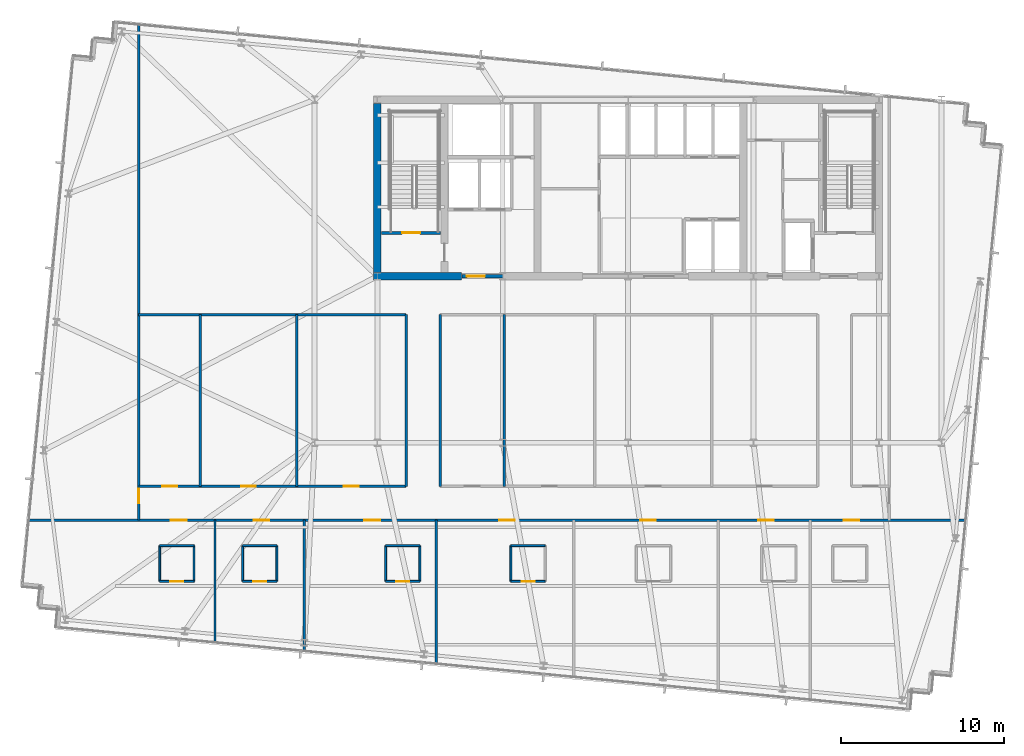
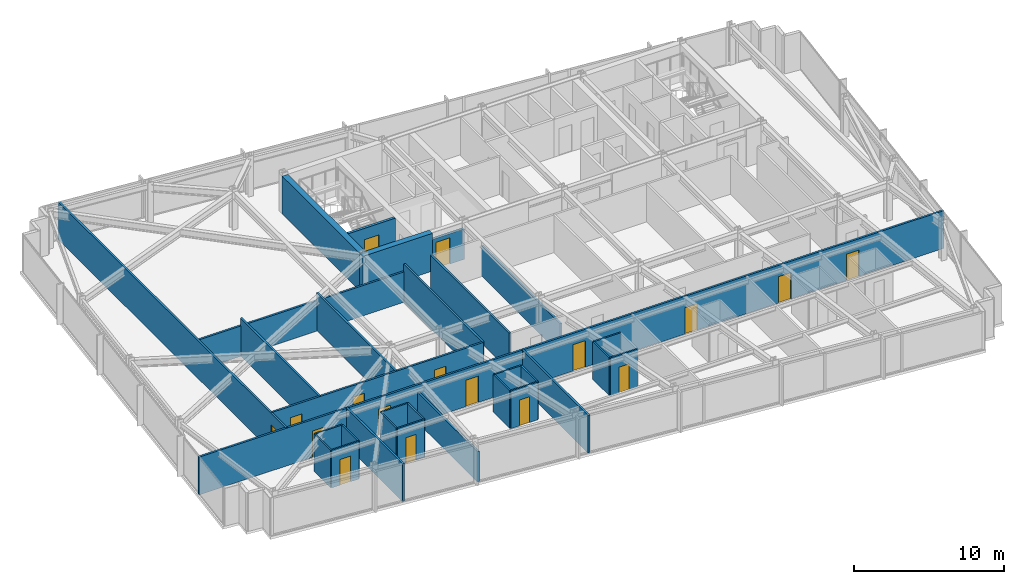
# One storey, part 29 of 38: 31 walls, 17 doors, 17 openings.
"""IFC4 building model written with IfcOpenShell, lengths in metres."""

from ifc_helpers import new_model, si_unit, direction, frame, frame_2d, origin, place, context, subcontext, project, spatial, rectangle, extrude, material, layer, layer_set, type_object, element, fill, save


model = new_model("IFC4")

# Units and contexts
model_context = context("Model", 3, precision=1e-05, world=origin(), true_north=direction((0.0, 1.0)))
body_context = subcontext(model_context, "Body", "Model", "MODEL_VIEW")
ifc_project = project(units=[si_unit("LENGTHUNIT", "METRE"), si_unit("AREAUNIT", "SQUARE_METRE"), si_unit("VOLUMEUNIT", "CUBIC_METRE"), si_unit("PLANEANGLEUNIT", "RADIAN"), si_unit("MASSUNIT", "GRAM", prefix="KILO")], contexts=[model_context])

# Site, building, storey
site_placement = place(None, origin())
site = spatial("IfcSite", under=ifc_project, at=site_placement, CompositionType="ELEMENT")
building_placement = place(site_placement, origin())
building = spatial("IfcBuilding", under=site, at=building_placement, Name="Yelkora Congress Tower", CompositionType="ELEMENT")
storey_placement = place(building_placement, frame((0.0, 0.0, 185.300048828125)))
storey = spatial("IfcBuildingStorey", under=building, at=storey_placement, Name="L51", CompositionType="ELEMENT", Elevation=185.300048828125)

# Walls
ifc_material_1 = material(Name="Concrete C60/75", Category="concrete")
ifc_layer_1 = layer(ifc_material_1, 0.449951171875)
ifc_layer_set_1 = layer_set([ifc_layer_1], Name="Concrete C60/75")
wall_type_1 = type_object("IfcWallType", Name="WALL-CORE-INT-450", PredefinedType="SHEAR", material=ifc_layer_set_1)
wall_1_placement = place(storey_placement, frame((22.81494140625, 35.39990234375, 0.0), z_axis=(0.0, 0.0, 1.0), x_axis=(1.0, 0.0, 0.0)))
element("IfcWall", 1, at=wall_1_placement, inside=storey, type_object=wall_type_1, Name="L51 Rear Core South-West Shear Wall", PredefinedType="SHEAR", context=body_context, shape_type="SweptSolid", body=[
    extrude(rectangle(XDim=5.385009765625, YDim=0.449951171875, at=frame_2d((2.6923828125, 0.0))), origin(), (0.0, 0.0, 1.0), 3.079833984375),
])
wall_2_placement = place(storey_placement, frame((23.0400390625, 35.625, 0.0), z_axis=(0.0, 0.0, 1.0), x_axis=(0.0, 1.0, 0.0)))
element("IfcWall", 2, at=wall_2_placement, inside=storey, type_object=wall_type_1, Name="L51 Rear Core Cross Shear Wall W", PredefinedType="SHEAR", context=body_context, shape_type="SweptSolid", body=[
    extrude(rectangle(XDim=10.35009765625, YDim=0.449951171875, at=frame_2d((5.175048828125, 0.0))), origin(), (0.0, 0.0, 1.0), 3.079833984375),
])
ifc_material_2 = material(Name="Moisture-resistant gypsum partition", Category="gypsum")
ifc_layer_2 = layer(ifc_material_2, 0.1201171875)
ifc_layer_set_2 = layer_set([ifc_layer_2], Name="Moisture-resistant gypsum partition")
wall_type_2 = type_object("IfcWallType", Name="WALL-INT-120-NR", PredefinedType="PARTITIONING", material=ifc_layer_set_2)
wall_3_placement = place(storey_placement, frame((9.708984375, 18.89990234375, 0.0), z_axis=(0.0, 0.0, 1.0), x_axis=(1.0, 0.0, 0.0)))
element("IfcWall", 3, at=wall_3_placement, inside=storey, type_object=wall_type_2, Name="L51 Partition Wall 27", PredefinedType="PARTITIONING", context=body_context, shape_type="SweptSolid", body=[
    extrude(rectangle(XDim=2.10009765625, YDim=0.1201171875, at=frame_2d((1.050048828125, 0.0))), origin(), (0.0, 0.0, 1.0), 3.079833984375),
])
for number, where, z_axis, x_axis, name in (
    (4, (9.708984375, 16.699951171875, 0.0), (0.0, 0.0, 1.0), (0.0, 1.0, 0.0), "L51 Partition Wall 28"),
    (5, (11.80908203125, 16.699951171875, 0.0), (0.0, 0.0, 1.0), (0.0, 1.0, 0.0), "L51 Partition Wall 29"),
):
    element("IfcWall", number, at=place(storey_placement, frame(where, z_axis=z_axis, x_axis=x_axis)), inside=storey, type_object=wall_type_2, Name=name, PredefinedType="PARTITIONING", context=body_context, shape_type="SweptSolid", body=[
        extrude(rectangle(XDim=2.199951171875, YDim=0.1201171875, at=frame_2d((1.10009765625, 0.0))), origin(), (0.0, 0.0, 1.0), 3.079833984375),
    ])

# Wall, opening, door
wall_4_placement = place(storey_placement, frame((9.708984375, 16.699951171875, 0.0), z_axis=(0.0, 0.0, 1.0), x_axis=(1.0, 0.0, 0.0)))
wall_4 = element("IfcWall", 6, at=wall_4_placement, inside=storey, type_object=wall_type_2, Name="L51 Partition Wall 30", PredefinedType="PARTITIONING", context=body_context, shape_type="SweptSolid", body=[
    extrude(rectangle(XDim=2.10009765625, YDim=0.1201171875, at=frame_2d((1.050048828125, 0.0))), origin(), (0.0, 0.0, 1.0), 3.079833984375),
])
opening_1_placement = place(wall_4_placement, frame((0.64990234375, 0.0, 0.0)))
opening_1 = element("IfcOpeningElement", 7, at=opening_1_placement, cuts=wall_4, Name="Opening DR-080B", PredefinedType="OPENING", context=body_context, shape_type="SweptSolid", body=[
    extrude(rectangle(XDim=0.800048828125, YDim=2.10009765625, at=frame_2d((0.39990234375, 1.050048828125))), frame((0.0, 0.070068359375, 0.0), z_axis=(0.0, -1.0, 0.0), x_axis=(1.0, 0.0, 0.0)), (0.0, 0.0, 1.0), 0.14013671875),
])
ifc_material_3 = material(Name="Moisture-sealed en-suite timber door", Category="wood")
door_type_1 = type_object("IfcDoorType", Name="DOOR-BATH-800", OperationType="NOTDEFINED", PredefinedType="DOOR", material=ifc_material_3)
door_1_placement = place(opening_1_placement, origin())
door_1 = element("IfcDoor", 8, at=door_1_placement, inside=storey, type_object=door_type_1, Name="L51 En-suite Door 1", OperationType="SINGLE_SWING_LEFT", OverallHeight=2.10009765625, OverallWidth=0.800048828125, PredefinedType="DOOR", context=body_context, shape_type="SweptSolid", body=[
    extrude(rectangle(XDim=0.800048828125, YDim=2.10009765625, at=frame_2d((0.39990234375, 1.050048828125))), frame((0.0, 0.02490234375, 0.0), z_axis=(0.0, -1.0, 0.0), x_axis=(1.0, 0.0, 0.0)), (0.0, 0.0, 1.0), 0.050048828125),
])
fill(opening_1, door_1)

# Walls
wall_5_placement = place(storey_placement, frame((14.781005859375, 18.89990234375, 0.0), z_axis=(0.0, 0.0, 1.0), x_axis=(1.0, 0.0, 0.0)))
element("IfcWall", 9, at=wall_5_placement, inside=storey, type_object=wall_type_2, Name="L51 Partition Wall 31", PredefinedType="PARTITIONING", context=body_context, shape_type="SweptSolid", body=[
    extrude(rectangle(XDim=2.10009765625, YDim=0.1201171875, at=frame_2d((1.050048828125, 0.0))), origin(), (0.0, 0.0, 1.0), 3.079833984375),
])
for number, where, z_axis, x_axis, name in (
    (10, (14.781005859375, 16.699951171875, 0.0), (0.0, 0.0, 1.0), (0.0, 1.0, 0.0), "L51 Partition Wall 32"),
    (11, (16.881103515625, 16.699951171875, 0.0), (0.0, 0.0, 1.0), (0.0, 1.0, 0.0), "L51 Partition Wall 33"),
):
    element("IfcWall", number, at=place(storey_placement, frame(where, z_axis=z_axis, x_axis=x_axis)), inside=storey, type_object=wall_type_2, Name=name, PredefinedType="PARTITIONING", context=body_context, shape_type="SweptSolid", body=[
        extrude(rectangle(XDim=2.199951171875, YDim=0.1201171875, at=frame_2d((1.10009765625, 0.0))), origin(), (0.0, 0.0, 1.0), 3.079833984375),
    ])

# Wall, opening, door
wall_6_placement = place(storey_placement, frame((14.781005859375, 16.699951171875, 0.0), z_axis=(0.0, 0.0, 1.0), x_axis=(1.0, 0.0, 0.0)))
wall_6 = element("IfcWall", 12, at=wall_6_placement, inside=storey, type_object=wall_type_2, Name="L51 Partition Wall 34", PredefinedType="PARTITIONING", context=body_context, shape_type="SweptSolid", body=[
    extrude(rectangle(XDim=2.10009765625, YDim=0.1201171875, at=frame_2d((1.050048828125, 0.0))), origin(), (0.0, 0.0, 1.0), 3.079833984375),
])
opening_2_placement = place(wall_6_placement, frame((0.64990234375, 0.0, 0.0)))
opening_2 = element("IfcOpeningElement", 13, at=opening_2_placement, cuts=wall_6, Name="Opening DR-080B", PredefinedType="OPENING", context=body_context, shape_type="SweptSolid", body=[
    extrude(rectangle(XDim=0.800048828125, YDim=2.10009765625, at=frame_2d((0.39990234375, 1.050048828125))), frame((0.0, 0.070068359375, 0.0), z_axis=(0.0, -1.0, 0.0), x_axis=(1.0, 0.0, 0.0)), (0.0, 0.0, 1.0), 0.14013671875),
])
door_2_placement = place(opening_2_placement, origin())
door_2 = element("IfcDoor", 14, at=door_2_placement, inside=storey, type_object=door_type_1, Name="L51 En-suite Door 2", OperationType="SINGLE_SWING_RIGHT", OverallHeight=2.10009765625, OverallWidth=0.800048828125, PredefinedType="DOOR", context=body_context, shape_type="SweptSolid", body=[
    extrude(rectangle(XDim=0.800048828125, YDim=2.10009765625, at=frame_2d((0.39990234375, 1.050048828125))), frame((0.0, 0.02490234375, 0.0), z_axis=(0.0, -1.0, 0.0), x_axis=(1.0, 0.0, 0.0)), (0.0, 0.0, 1.0), 0.050048828125),
])
fill(opening_2, door_2)

# Walls
wall_7_placement = place(storey_placement, frame((23.5400390625, 18.89990234375, 0.0), z_axis=(0.0, 0.0, 1.0), x_axis=(1.0, 0.0, 0.0)))
element("IfcWall", 15, at=wall_7_placement, inside=storey, type_object=wall_type_2, Name="L51 Partition Wall 36", PredefinedType="PARTITIONING", context=body_context, shape_type="SweptSolid", body=[
    extrude(rectangle(XDim=2.099853515625, YDim=0.1201171875, at=frame_2d((1.0498046875, 0.0))), origin(), (0.0, 0.0, 1.0), 3.079833984375),
])
for number, where, z_axis, x_axis, name in (
    (16, (23.5400390625, 16.699951171875, 0.0), (0.0, 0.0, 1.0), (0.0, 1.0, 0.0), "L51 Partition Wall 37"),
    (17, (25.639892578125, 16.699951171875, 0.0), (0.0, 0.0, 1.0), (0.0, 1.0, 0.0), "L51 Partition Wall 38"),
):
    element("IfcWall", number, at=place(storey_placement, frame(where, z_axis=z_axis, x_axis=x_axis)), inside=storey, type_object=wall_type_2, Name=name, PredefinedType="PARTITIONING", context=body_context, shape_type="SweptSolid", body=[
        extrude(rectangle(XDim=2.199951171875, YDim=0.1201171875, at=frame_2d((1.10009765625, 0.0))), origin(), (0.0, 0.0, 1.0), 3.079833984375),
    ])

# Wall, opening, door
wall_8_placement = place(storey_placement, frame((23.5400390625, 16.699951171875, 0.0), z_axis=(0.0, 0.0, 1.0), x_axis=(1.0, 0.0, 0.0)))
wall_8 = element("IfcWall", 18, at=wall_8_placement, inside=storey, type_object=wall_type_2, Name="L51 Partition Wall 39", PredefinedType="PARTITIONING", context=body_context, shape_type="SweptSolid", body=[
    extrude(rectangle(XDim=2.099853515625, YDim=0.1201171875, at=frame_2d((1.0498046875, 0.0))), origin(), (0.0, 0.0, 1.0), 3.079833984375),
])
opening_3_placement = place(wall_8_placement, frame((0.64990234375, 0.0, 0.0)))
opening_3 = element("IfcOpeningElement", 19, at=opening_3_placement, cuts=wall_8, Name="Opening DR-080B", PredefinedType="OPENING", context=body_context, shape_type="SweptSolid", body=[
    extrude(rectangle(XDim=0.800048828125, YDim=2.10009765625, at=frame_2d((0.39990234375, 1.050048828125))), frame((0.0, 0.070068359375, 0.0), z_axis=(0.0, -1.0, 0.0), x_axis=(1.0, 0.0, 0.0)), (0.0, 0.0, 1.0), 0.14013671875),
])
door_3_placement = place(opening_3_placement, origin())
door_3 = element("IfcDoor", 20, at=door_3_placement, inside=storey, type_object=door_type_1, Name="L51 En-suite Door 3", OperationType="SINGLE_SWING_LEFT", OverallHeight=2.10009765625, OverallWidth=0.800048828125, PredefinedType="DOOR", context=body_context, shape_type="SweptSolid", body=[
    extrude(rectangle(XDim=0.800048828125, YDim=2.10009765625, at=frame_2d((0.39990234375, 1.050048828125))), frame((0.0, 0.02490234375, 0.0), z_axis=(0.0, -1.0, 0.0), x_axis=(1.0, 0.0, 0.0)), (0.0, 0.0, 1.0), 0.050048828125),
])
fill(opening_3, door_3)

# Walls
wall_9_placement = place(storey_placement, frame((31.219970703125, 18.89990234375, 0.0), z_axis=(0.0, 0.0, 1.0), x_axis=(1.0, 0.0, 0.0)))
element("IfcWall", 21, at=wall_9_placement, inside=storey, type_object=wall_type_2, Name="L51 Partition Wall 41", PredefinedType="PARTITIONING", context=body_context, shape_type="SweptSolid", body=[
    extrude(rectangle(XDim=2.10009765625, YDim=0.1201171875, at=frame_2d((1.050048828125, 0.0))), origin(), (0.0, 0.0, 1.0), 3.079833984375),
])
wall_10_placement = place(storey_placement, frame((31.219970703125, 16.699951171875, 0.0), z_axis=(0.0, 0.0, 1.0), x_axis=(0.0, 1.0, 0.0)))
element("IfcWall", 22, at=wall_10_placement, inside=storey, type_object=wall_type_2, Name="L51 Partition Wall 42", PredefinedType="PARTITIONING", context=body_context, shape_type="SweptSolid", body=[
    extrude(rectangle(XDim=2.199951171875, YDim=0.1201171875, at=frame_2d((1.10009765625, 0.0))), origin(), (0.0, 0.0, 1.0), 3.079833984375),
])

# Wall, opening, door
wall_11_placement = place(storey_placement, frame((31.219970703125, 16.699951171875, 0.0), z_axis=(0.0, 0.0, 1.0), x_axis=(1.0, 0.0, 0.0)))
wall_11 = element("IfcWall", 23, at=wall_11_placement, inside=storey, type_object=wall_type_2, Name="L51 Partition Wall 44", PredefinedType="PARTITIONING", context=body_context, shape_type="SweptSolid", body=[
    extrude(rectangle(XDim=2.10009765625, YDim=0.1201171875, at=frame_2d((1.050048828125, 0.0))), origin(), (0.0, 0.0, 1.0), 3.079833984375),
])
opening_4_placement = place(wall_11_placement, frame((0.64990234375, 0.0, 0.0)))
opening_4 = element("IfcOpeningElement", 24, at=opening_4_placement, cuts=wall_11, Name="Opening DR-080B", PredefinedType="OPENING", context=body_context, shape_type="SweptSolid", body=[
    extrude(rectangle(XDim=0.800048828125, YDim=2.10009765625, at=frame_2d((0.39990234375, 1.050048828125))), frame((0.0, 0.070068359375, 0.0), z_axis=(0.0, -1.0, 0.0), x_axis=(1.0, 0.0, 0.0)), (0.0, 0.0, 1.0), 0.14013671875),
])
door_4_placement = place(opening_4_placement, origin())
door_4 = element("IfcDoor", 25, at=door_4_placement, inside=storey, type_object=door_type_1, Name="L51 En-suite Door 4", OperationType="SINGLE_SWING_RIGHT", OverallHeight=2.10009765625, OverallWidth=0.800048828125, PredefinedType="DOOR", context=body_context, shape_type="SweptSolid", body=[
    extrude(rectangle(XDim=0.800048828125, YDim=2.10009765625, at=frame_2d((0.39990234375, 1.050048828125))), frame((0.0, 0.02490234375, 0.0), z_axis=(0.0, -1.0, 0.0), x_axis=(1.0, 0.0, 0.0)), (0.0, 0.0, 1.0), 0.050048828125),
])
fill(opening_4, door_4)

ifc_material_4 = material(Name="Acoustic metal-stud gypsum partition", Category="gypsum")
ifc_layer_3 = layer(ifc_material_4, 0.14990234375)
ifc_layer_set_3 = layer_set([ifc_layer_3], Name="Acoustic metal-stud gypsum partition")
wall_type_3 = type_object("IfcWallType", Name="WALL-INT-150-NR", PredefinedType="PARTITIONING", material=ifc_layer_set_3)
wall_12_placement = place(storey_placement, frame((8.423095703125, 20.449951171875, 0.0), z_axis=(0.0, 0.0, 1.0), x_axis=(0.0, 1.0, 0.0)))
wall_12 = element("IfcWall", 26, at=wall_12_placement, inside=storey, type_object=wall_type_3, Name="L51 Partition Wall 62", PredefinedType="PARTITIONING", context=body_context, shape_type="SweptSolid", body=[
    extrude(rectangle(XDim=30.413818359375, YDim=0.14990234375, at=frame_2d((15.20703125, 0.0))), origin(), (0.0, 0.0, 1.0), 3.079833984375),
])
opening_5_placement = place(wall_12_placement, frame((1.030029296875, 0.0, 0.0)))
opening_5 = element("IfcOpeningElement", 27, at=opening_5_placement, cuts=wall_12, Name="Opening DR-090N", PredefinedType="OPENING", context=body_context, shape_type="SweptSolid", body=[
    extrude(rectangle(XDim=0.89990234375, YDim=2.14990234375, at=frame_2d((0.449951171875, 1.074951171875))), frame((0.0, 0.0849609375, 0.0), z_axis=(0.0, -1.0, 0.0), x_axis=(1.0, 0.0, 0.0)), (0.0, 0.0, 1.0), 0.169921875),
])
ifc_material_5 = material(Name="Moisture-resistant laminate door leaf", Category="wood")
door_type_2 = type_object("IfcDoorType", Name="DOOR-INT-900", OperationType="NOTDEFINED", PredefinedType="DOOR", material=ifc_material_5)
door_5_placement = place(opening_5_placement, origin())
door_5 = element("IfcDoor", 28, at=door_5_placement, inside=storey, type_object=door_type_2, Name="L51 W Wing Door", OperationType="SINGLE_SWING_LEFT", OverallHeight=2.14990234375, OverallWidth=0.89990234375, PredefinedType="DOOR", context=body_context, shape_type="SweptSolid", body=[
    extrude(rectangle(XDim=0.89990234375, YDim=2.14990234375, at=frame_2d((0.449951171875, 1.074951171875))), frame((0.0, 0.02490234375, 0.0), z_axis=(0.0, -1.0, 0.0), x_axis=(1.0, 0.0, 0.0)), (0.0, 0.0, 1.0), 0.050048828125),
])
fill(opening_5, door_5)

# Walls
for number, where, z_axis, x_axis, name in (
    (29, (24.800048828125, 22.530029296875, 0.0), (0.0, 0.0, 1.0), (0.0, 1.0, 0.0), "L51 Partition Wall 64"),
    (30, (26.8798828125, 22.530029296875, 0.0), (0.0, 0.0, 1.0), (0.0, 1.0, 0.0), "L51 Partition Wall 65"),
):
    element("IfcWall", number, at=place(storey_placement, frame(where, z_axis=z_axis, x_axis=x_axis)), inside=storey, type_object=wall_type_3, Name=name, PredefinedType="PARTITIONING", context=body_context, shape_type="SweptSolid", body=[
        extrude(rectangle(XDim=10.52001953125, YDim=0.14990234375, at=frame_2d((5.260009765625, 0.0))), origin(), (0.0, 0.0, 1.0), 3.079833984375),
    ])
wall_13_placement = place(storey_placement, frame((8.423095703125, 33.050048828125, 0.0), z_axis=(0.0, 0.0, 1.0), x_axis=(1.0, 0.0, 0.0)))
element("IfcWall", 31, at=wall_13_placement, inside=storey, type_object=wall_type_3, Name="L51 Partition Wall 68", PredefinedType="PARTITIONING", context=body_context, shape_type="SweptSolid", body=[
    extrude(rectangle(XDim=16.376953125, YDim=0.14990234375, at=frame_2d((8.1884765625, 0.0))), origin(), (0.0, 0.0, 1.0), 2.474853515625),
])
for number, where, z_axis, x_axis, name in (
    (32, (12.202880859375, 22.530029296875, 0.0), (0.0, 0.0, 1.0), (0.0, 1.0, 0.0), "L51 Partition Wall 71"),
    (33, (18.087890625, 22.530029296875, 0.0), (0.0, 0.0, 1.0), (0.0, 1.0, 0.0), "L51 Partition Wall 72"),
):
    element("IfcWall", number, at=place(storey_placement, frame(where, z_axis=z_axis, x_axis=x_axis)), inside=storey, type_object=wall_type_3, Name=name, PredefinedType="PARTITIONING", context=body_context, shape_type="SweptSolid", body=[
        extrude(rectangle(XDim=10.52001953125, YDim=0.14990234375, at=frame_2d((5.260009765625, 0.0))), origin(), (0.0, 0.0, 1.0), 3.079833984375),
    ])

# Wall, openings, doors
wall_14_placement = place(storey_placement, frame((8.443115234375, 22.530029296875, 0.0), z_axis=(0.0, 0.0, 1.0), x_axis=(1.0, 0.0, 0.0)))
wall_14 = element("IfcWall", 34, at=wall_14_placement, inside=storey, type_object=wall_type_3, Name="L51 Partition Wall 73", PredefinedType="PARTITIONING", context=body_context, shape_type="SweptSolid", body=[
    extrude(rectangle(XDim=16.346923828125, YDim=0.14990234375, at=frame_2d((8.17333984375, 0.0))), origin(), (0.0, 0.0, 1.0), 3.079833984375),
])
opening_6_placement = place(wall_14_placement, frame((1.429931640625, 0.0, 0.0)))
opening_6 = element("IfcOpeningElement", 35, at=opening_6_placement, cuts=wall_14, Name="Opening DR-090N", PredefinedType="OPENING", context=body_context, shape_type="SweptSolid", body=[
    extrude(rectangle(XDim=0.89990234375, YDim=2.14990234375, at=frame_2d((0.449951171875, 1.074951171875))), frame((0.0, 0.0849609375, 0.0), z_axis=(0.0, -1.0, 0.0), x_axis=(1.0, 0.0, 0.0)), (0.0, 0.0, 1.0), 0.169921875),
])
opening_7_placement = place(wall_14_placement, frame((6.25244140625, 0.0, 0.0)))
opening_7 = element("IfcOpeningElement", 36, at=opening_7_placement, cuts=wall_14, Name="Opening DR-090N", PredefinedType="OPENING", context=body_context, shape_type="SweptSolid", body=[
    extrude(rectangle(XDim=0.89990234375, YDim=2.14990234375, at=frame_2d((0.449951171875, 1.074951171875))), frame((0.0, 0.0849609375, 0.0), z_axis=(0.0, -1.0, 0.0), x_axis=(1.0, 0.0, 0.0)), (0.0, 0.0, 1.0), 0.169921875),
])
opening_8_placement = place(wall_14_placement, frame((12.5458984375, 0.0, 0.0)))
opening_8 = element("IfcOpeningElement", 37, at=opening_8_placement, cuts=wall_14, Name="Opening DR-090N", PredefinedType="OPENING", context=body_context, shape_type="SweptSolid", body=[
    extrude(rectangle(XDim=0.89990234375, YDim=2.14990234375, at=frame_2d((0.449951171875, 1.074951171875))), frame((0.0, 0.0849609375, 0.0), z_axis=(0.0, -1.0, 0.0), x_axis=(1.0, 0.0, 0.0)), (0.0, 0.0, 1.0), 0.169921875),
])
door_6_placement = place(opening_6_placement, origin())
door_6 = element("IfcDoor", 38, at=door_6_placement, inside=storey, type_object=door_type_2, Name="L51 Housekeeping & Linen Room Door", OperationType="SINGLE_SWING_LEFT", OverallHeight=2.14990234375, OverallWidth=0.89990234375, PredefinedType="DOOR", context=body_context, shape_type="SweptSolid", body=[
    extrude(rectangle(XDim=0.89990234375, YDim=2.14990234375, at=frame_2d((0.449951171875, 1.074951171875))), frame((0.0, 0.02490234375, 0.0), z_axis=(0.0, -1.0, 0.0), x_axis=(1.0, 0.0, 0.0)), (0.0, 0.0, 1.0), 0.050048828125),
])
fill(opening_6, door_6)
door_7_placement = place(opening_7_placement, origin())
door_7 = element("IfcDoor", 39, at=door_7_placement, inside=storey, type_object=door_type_2, Name="L51 Executive Study Office Door", OperationType="SINGLE_SWING_RIGHT", OverallHeight=2.14990234375, OverallWidth=0.89990234375, PredefinedType="DOOR", context=body_context, shape_type="SweptSolid", body=[
    extrude(rectangle(XDim=0.89990234375, YDim=2.14990234375, at=frame_2d((0.449951171875, 1.074951171875))), frame((0.0, 0.02490234375, 0.0), z_axis=(0.0, -1.0, 0.0), x_axis=(1.0, 0.0, 0.0)), (0.0, 0.0, 1.0), 0.050048828125),
])
fill(opening_7, door_7)
door_8_placement = place(opening_8_placement, origin())
door_8 = element("IfcDoor", 40, at=door_8_placement, inside=storey, type_object=door_type_2, Name="L51 Delegate Reading Lounge Door", OperationType="SINGLE_SWING_LEFT", OverallHeight=2.14990234375, OverallWidth=0.89990234375, PredefinedType="DOOR", context=body_context, shape_type="SweptSolid", body=[
    extrude(rectangle(XDim=0.89990234375, YDim=2.14990234375, at=frame_2d((0.449951171875, 1.074951171875))), frame((0.0, 0.02490234375, 0.0), z_axis=(0.0, -1.0, 0.0), x_axis=(1.0, 0.0, 0.0)), (0.0, 0.0, 1.0), 0.050048828125),
])
fill(opening_8, door_8)

# Walls
wall_15_placement = place(storey_placement, frame((30.81689453125, 22.530029296875, 0.0), z_axis=(0.0, 0.0, 1.0), x_axis=(0.0, 1.0, 0.0)))
element("IfcWall", 41, at=wall_15_placement, inside=storey, type_object=wall_type_3, Name="L51 Partition Wall 74", PredefinedType="PARTITIONING", context=body_context, shape_type="SweptSolid", body=[
    extrude(rectangle(XDim=10.52001953125, YDim=0.14990234375, at=frame_2d((5.260009765625, 0.0))), origin(), (0.0, 0.0, 1.0), 2.474853515625),
])
ifc_material_6 = material(Name="Twin-stud fire-rated gypsum partition", Category="gypsum")
ifc_layer_4 = layer(ifc_material_6, 0.14990234375)
ifc_layer_set_4 = layer_set([ifc_layer_4], Name="Twin-stud fire-rated gypsum partition")
wall_type_4 = type_object("IfcWallType", Name="WALL-INT-150-R60", PredefinedType="PARTITIONING", material=ifc_layer_set_4)
wall_16_placement = place(storey_placement, frame((13.094970703125, 12.901123046875, 0.0), z_axis=(0.0, 0.0, 1.0), x_axis=(0.0, 1.0, 0.0)))
element("IfcWall", 42, at=wall_16_placement, inside=storey, type_object=wall_type_4, Name="L51 Partition Wall 35", PredefinedType="PARTITIONING", context=body_context, shape_type="SweptSolid", body=[
    extrude(rectangle(XDim=7.56884765625, YDim=0.14990234375, at=frame_2d((3.784423828125, 0.0))), origin(), (0.0, 0.0, 1.0), 3.079833984375),
])
wall_17_placement = place(storey_placement, frame((18.56591796875, 12.374267578125, 0.0), z_axis=(0.0, 0.0, 1.0), x_axis=(0.0, 1.0, 0.0)))
element("IfcWall", 43, at=wall_17_placement, inside=storey, type_object=wall_type_4, Name="L51 Partition Wall 40", PredefinedType="PARTITIONING", context=body_context, shape_type="SweptSolid", body=[
    extrude(rectangle(XDim=8.095703125, YDim=0.14990234375, at=frame_2d((4.0478515625, 0.0))), origin(), (0.0, 0.0, 1.0), 2.474853515625),
])
wall_18_placement = place(storey_placement, frame((26.655029296875, 11.595458984375, 0.0), z_axis=(0.0, 0.0, 1.0), x_axis=(0.0, 1.0, 0.0)))
element("IfcWall", 44, at=wall_18_placement, inside=storey, type_object=wall_type_4, Name="L51 Partition Wall 45", PredefinedType="PARTITIONING", context=body_context, shape_type="SweptSolid", body=[
    extrude(rectangle(XDim=8.87451171875, YDim=0.14990234375, at=frame_2d((4.437255859375, 0.0))), origin(), (0.0, 0.0, 1.0), 3.079833984375),
])

# Wall, openings, doors
wall_19_placement = place(storey_placement, frame((1.62255859375, 20.449951171875, 0.0), z_axis=(0.0, 0.0, 1.0), x_axis=(1.0, 0.0, 0.0)))
wall_19 = element("IfcWall", 45, at=wall_19_placement, inside=storey, type_object=wall_type_4, Name="L51 South Spine Wall", PredefinedType="PARTITIONING", context=body_context, shape_type="SweptSolid", body=[
    extrude(rectangle(XDim=57.5048828125, YDim=0.14990234375, at=frame_2d((28.75244140625, 0.0))), origin(), (0.0, 0.0, 1.0), 3.079833984375),
])
opening_9_placement = place(wall_19_placement, frame((8.7763671875, 0.0, 0.0)))
opening_9 = element("IfcOpeningElement", 46, at=opening_9_placement, cuts=wall_19, Name="Opening DR-095F6", PredefinedType="OPENING", context=body_context, shape_type="SweptSolid", body=[
    extrude(rectangle(XDim=0.949951171875, YDim=2.14990234375, at=frame_2d((0.47509765625, 1.074951171875))), frame((0.0, 0.0849609375, 0.0), z_axis=(0.0, -1.0, 0.0), x_axis=(1.0, 0.0, 0.0)), (0.0, 0.0, 1.0), 0.169921875),
])
opening_10_placement = place(wall_19_placement, frame((13.847900390625, 0.0, 0.0)))
opening_10 = element("IfcOpeningElement", 47, at=opening_10_placement, cuts=wall_19, Name="Opening DR-095F6", PredefinedType="OPENING", context=body_context, shape_type="SweptSolid", body=[
    extrude(rectangle(XDim=0.949951171875, YDim=2.14990234375, at=frame_2d((0.47509765625, 1.074951171875))), frame((0.0, 0.0849609375, 0.0), z_axis=(0.0, -1.0, 0.0), x_axis=(1.0, 0.0, 0.0)), (0.0, 0.0, 1.0), 0.169921875),
])
opening_11_placement = place(wall_19_placement, frame((20.6279296875, 0.0, 0.0)))
opening_11 = element("IfcOpeningElement", 48, at=opening_11_placement, cuts=wall_19, Name="Opening DR-095F6", PredefinedType="OPENING", context=body_context, shape_type="SweptSolid", body=[
    extrude(rectangle(XDim=0.949951171875, YDim=2.14990234375, at=frame_2d((0.47509765625, 1.074951171875))), frame((0.0, 0.0849609375, 0.0), z_axis=(0.0, -1.0, 0.0), x_axis=(1.0, 0.0, 0.0)), (0.0, 0.0, 1.0), 0.169921875),
])
opening_12_placement = place(wall_19_placement, frame((28.8798828125, 0.0, 0.0)))
opening_12 = element("IfcOpeningElement", 49, at=opening_12_placement, cuts=wall_19, Name="Opening DR-095F6", PredefinedType="OPENING", context=body_context, shape_type="SweptSolid", body=[
    extrude(rectangle(XDim=0.949951171875, YDim=2.14990234375, at=frame_2d((0.47509765625, 1.074951171875))), frame((0.0, 0.0849609375, 0.0), z_axis=(0.0, -1.0, 0.0), x_axis=(1.0, 0.0, 0.0)), (0.0, 0.0, 1.0), 0.169921875),
])
opening_13_placement = place(wall_19_placement, frame((37.50537109375, 0.0, 0.0)))
opening_13 = element("IfcOpeningElement", 50, at=opening_13_placement, cuts=wall_19, Name="Opening DR-095F6", PredefinedType="OPENING", context=body_context, shape_type="SweptSolid", body=[
    extrude(rectangle(XDim=0.949951171875, YDim=2.14990234375, at=frame_2d((0.47509765625, 1.074951171875))), frame((0.0, 0.0849609375, 0.0), z_axis=(0.0, -1.0, 0.0), x_axis=(1.0, 0.0, 0.0)), (0.0, 0.0, 1.0), 0.169921875),
])
opening_14_placement = place(wall_19_placement, frame((44.746826171875, 0.0, 0.0)))
opening_14 = element("IfcOpeningElement", 51, at=opening_14_placement, cuts=wall_19, Name="Opening DR-095F6", PredefinedType="OPENING", context=body_context, shape_type="SweptSolid", body=[
    extrude(rectangle(XDim=0.949951171875, YDim=2.14990234375, at=frame_2d((0.47509765625, 1.074951171875))), frame((0.0, 0.0849609375, 0.0), z_axis=(0.0, -1.0, 0.0), x_axis=(1.0, 0.0, 0.0)), (0.0, 0.0, 1.0), 0.169921875),
])
opening_15_placement = place(wall_19_placement, frame((49.993896484375, 0.0, 0.0)))
opening_15 = element("IfcOpeningElement", 52, at=opening_15_placement, cuts=wall_19, Name="Opening DR-095F6", PredefinedType="OPENING", context=body_context, shape_type="SweptSolid", body=[
    extrude(rectangle(XDim=0.949951171875, YDim=2.14990234375, at=frame_2d((0.47509765625, 1.074951171875))), frame((0.0, 0.0849609375, 0.0), z_axis=(0.0, -1.0, 0.0), x_axis=(1.0, 0.0, 0.0)), (0.0, 0.0, 1.0), 0.169921875),
])
ifc_material_7 = material(Name="Acoustic oak-veneer fire door leaf", Category="wood")
door_type_3 = type_object("IfcDoorType", Name="DOOR-FD60-950", OperationType="NOTDEFINED", PredefinedType="DOOR", material=ifc_material_7)
door_9_placement = place(opening_9_placement, origin())
door_9 = element("IfcDoor", 53, at=door_9_placement, inside=storey, type_object=door_type_3, Name="L51 Diplomatic Suite 01 Entry Door", OperationType="SINGLE_SWING_RIGHT", OverallHeight=2.14990234375, OverallWidth=0.949951171875, PredefinedType="DOOR", context=body_context, shape_type="SweptSolid", body=[
    extrude(rectangle(XDim=0.949951171875, YDim=2.14990234375, at=frame_2d((0.47509765625, 1.074951171875))), frame((0.0, 0.02490234375, 0.0), z_axis=(0.0, -1.0, 0.0), x_axis=(1.0, 0.0, 0.0)), (0.0, 0.0, 1.0), 0.050048828125),
])
fill(opening_9, door_9)
door_10_placement = place(opening_10_placement, origin())
door_10 = element("IfcDoor", 54, at=door_10_placement, inside=storey, type_object=door_type_3, Name="L51 Hotel Guest Room 02 Entry Door", OperationType="SINGLE_SWING_LEFT", OverallHeight=2.14990234375, OverallWidth=0.949951171875, PredefinedType="DOOR", context=body_context, shape_type="SweptSolid", body=[
    extrude(rectangle(XDim=0.949951171875, YDim=2.14990234375, at=frame_2d((0.47509765625, 1.074951171875))), frame((0.0, 0.02490234375, 0.0), z_axis=(0.0, -1.0, 0.0), x_axis=(1.0, 0.0, 0.0)), (0.0, 0.0, 1.0), 0.050048828125),
])
fill(opening_10, door_10)
door_11_placement = place(opening_11_placement, origin())
door_11 = element("IfcDoor", 55, at=door_11_placement, inside=storey, type_object=door_type_3, Name="L51 Hotel Guest Room 03 Entry Door", OperationType="SINGLE_SWING_RIGHT", OverallHeight=2.14990234375, OverallWidth=0.949951171875, PredefinedType="DOOR", context=body_context, shape_type="SweptSolid", body=[
    extrude(rectangle(XDim=0.949951171875, YDim=2.14990234375, at=frame_2d((0.47509765625, 1.074951171875))), frame((0.0, 0.02490234375, 0.0), z_axis=(0.0, -1.0, 0.0), x_axis=(1.0, 0.0, 0.0)), (0.0, 0.0, 1.0), 0.050048828125),
])
fill(opening_11, door_11)
door_12_placement = place(opening_12_placement, origin())
door_12 = element("IfcDoor", 56, at=door_12_placement, inside=storey, type_object=door_type_3, Name="L51 Diplomatic Suite 04 Entry Door", OperationType="SINGLE_SWING_LEFT", OverallHeight=2.14990234375, OverallWidth=0.949951171875, PredefinedType="DOOR", context=body_context, shape_type="SweptSolid", body=[
    extrude(rectangle(XDim=0.949951171875, YDim=2.14990234375, at=frame_2d((0.47509765625, 1.074951171875))), frame((0.0, 0.02490234375, 0.0), z_axis=(0.0, -1.0, 0.0), x_axis=(1.0, 0.0, 0.0)), (0.0, 0.0, 1.0), 0.050048828125),
])
fill(opening_12, door_12)
door_13_placement = place(opening_13_placement, origin())
door_13 = element("IfcDoor", 57, at=door_13_placement, inside=storey, type_object=door_type_3, Name="L51 Diplomatic Suite 05 Entry Door", OperationType="SINGLE_SWING_RIGHT", OverallHeight=2.14990234375, OverallWidth=0.949951171875, PredefinedType="DOOR", context=body_context, shape_type="SweptSolid", body=[
    extrude(rectangle(XDim=0.949951171875, YDim=2.14990234375, at=frame_2d((0.47509765625, 1.074951171875))), frame((0.0, 0.02490234375, 0.0), z_axis=(0.0, -1.0, 0.0), x_axis=(1.0, 0.0, 0.0)), (0.0, 0.0, 1.0), 0.050048828125),
])
fill(opening_13, door_13)
door_14_placement = place(opening_14_placement, origin())
door_14 = element("IfcDoor", 58, at=door_14_placement, inside=storey, type_object=door_type_3, Name="L51 Hotel Guest Room 06 Entry Door", OperationType="SINGLE_SWING_LEFT", OverallHeight=2.14990234375, OverallWidth=0.949951171875, PredefinedType="DOOR", context=body_context, shape_type="SweptSolid", body=[
    extrude(rectangle(XDim=0.949951171875, YDim=2.14990234375, at=frame_2d((0.47509765625, 1.074951171875))), frame((0.0, 0.02490234375, 0.0), z_axis=(0.0, -1.0, 0.0), x_axis=(1.0, 0.0, 0.0)), (0.0, 0.0, 1.0), 0.050048828125),
])
fill(opening_14, door_14)
door_15_placement = place(opening_15_placement, origin())
door_15 = element("IfcDoor", 59, at=door_15_placement, inside=storey, type_object=door_type_3, Name="L51 Diplomatic Suite 07 Entry Door", OperationType="SINGLE_SWING_RIGHT", OverallHeight=2.14990234375, OverallWidth=0.949951171875, PredefinedType="DOOR", context=body_context, shape_type="SweptSolid", body=[
    extrude(rectangle(XDim=0.949951171875, YDim=2.14990234375, at=frame_2d((0.47509765625, 1.074951171875))), frame((0.0, 0.02490234375, 0.0), z_axis=(0.0, -1.0, 0.0), x_axis=(1.0, 0.0, 0.0)), (0.0, 0.0, 1.0), 0.050048828125),
])
fill(opening_15, door_15)

# Wall, opening, door
ifc_material_8 = material(Name="Autoclaved aerated concrete blockwork", Category="masonry")
ifc_layer_5 = layer(ifc_material_8, 0.199951171875)
ifc_layer_set_5 = layer_set([ifc_layer_5], Name="Autoclaved aerated concrete blockwork")
wall_type_5 = type_object("IfcWallType", Name="WALL-INT-200-R120", PredefinedType="PARTITIONING", material=ifc_layer_set_5)
wall_20_placement = place(storey_placement, frame((23.300048828125, 38.050048828125, 0.0), z_axis=(0.0, 0.0, 1.0), x_axis=(1.0, 0.0, 0.0)))
wall_20 = element("IfcWall", 60, at=wall_20_placement, inside=storey, type_object=wall_type_5, Name="L51 Stair ST-01 Enclosure Wall", PredefinedType="PARTITIONING", context=body_context, shape_type="SweptSolid", body=[
    extrude(rectangle(XDim=3.619873046875, YDim=0.199951171875, at=frame_2d((1.81005859375, 0.0))), origin(), (0.0, 0.0, 1.0), 3.079833984375),
])
opening_16_placement = place(wall_20_placement, frame((1.260009765625, 0.0, 0.0)))
opening_16 = element("IfcOpeningElement", 61, at=opening_16_placement, cuts=wall_20, Name="Opening DR-110F9", PredefinedType="OPENING", context=body_context, shape_type="SweptSolid", body=[
    extrude(rectangle(XDim=1.10009765625, YDim=2.14990234375, at=frame_2d((0.550048828125, 1.074951171875))), frame((0.0, 0.10986328125, 0.0), z_axis=(0.0, -1.0, 0.0), x_axis=(1.0, 0.0, 0.0)), (0.0, 0.0, 1.0), 0.219970703125),
])
ifc_material_9 = material(Name="Galvanised steel fire door leaf", Category="steel")
door_type_4 = type_object("IfcDoorType", Name="DOOR-FD90-1100", OperationType="NOTDEFINED", PredefinedType="DOOR", material=ifc_material_9)
door_16_placement = place(opening_16_placement, origin())
door_16 = element("IfcDoor", 62, at=door_16_placement, inside=storey, type_object=door_type_4, Name="L51 Stair ST-01 Entry Door", OperationType="SINGLE_SWING_LEFT", OverallHeight=2.14990234375, OverallWidth=1.10009765625, PredefinedType="DOOR", context=body_context, shape_type="SweptSolid", body=[
    extrude(rectangle(XDim=1.10009765625, YDim=2.14990234375, at=frame_2d((0.550048828125, 1.074951171875))), frame((0.0, 0.02490234375, 0.0), z_axis=(0.0, -1.0, 0.0), x_axis=(1.0, 0.0, 0.0)), (0.0, 0.0, 1.0), 0.050048828125),
])
fill(opening_16, door_16)

wall_21_placement = place(storey_placement, frame((28.219970703125, 35.39990234375, 0.0), z_axis=(0.0, 0.0, 1.0), x_axis=(1.0, 0.0, 0.0)))
wall_21 = element("IfcWall", 63, at=wall_21_placement, inside=storey, type_object=wall_type_5, Name="L51 Firefighting Lobby South Wall", PredefinedType="PARTITIONING", context=body_context, shape_type="SweptSolid", body=[
    extrude(rectangle(XDim=2.5, YDim=0.199951171875, at=frame_2d((1.25, 0.0))), origin(), (0.0, 0.0, 1.0), 2.474853515625),
])
opening_17_placement = place(wall_21_placement, frame((0.300048828125, 0.0, 0.0)))
opening_17 = element("IfcOpeningElement", 64, at=opening_17_placement, cuts=wall_21, Name="Opening DR-110F9", PredefinedType="OPENING", context=body_context, shape_type="SweptSolid", body=[
    extrude(rectangle(XDim=1.10009765625, YDim=2.14990234375, at=frame_2d((0.550048828125, 1.074951171875))), frame((0.0, 0.10986328125, 0.0), z_axis=(0.0, -1.0, 0.0), x_axis=(1.0, 0.0, 0.0)), (0.0, 0.0, 1.0), 0.219970703125),
])
door_17_placement = place(opening_17_placement, origin())
door_17 = element("IfcDoor", 65, at=door_17_placement, inside=storey, type_object=door_type_4, Name="L51 Firefighting Lobby Corridor Door", OperationType="SINGLE_SWING_RIGHT", OverallHeight=2.14990234375, OverallWidth=1.10009765625, PredefinedType="DOOR", context=body_context, shape_type="SweptSolid", body=[
    extrude(rectangle(XDim=1.10009765625, YDim=2.14990234375, at=frame_2d((0.550048828125, 1.074951171875))), frame((0.0, 0.02490234375, 0.0), z_axis=(0.0, -1.0, 0.0), x_axis=(1.0, 0.0, 0.0)), (0.0, 0.0, 1.0), 0.050048828125),
])
fill(opening_17, door_17)

save(model, "model.ifc")
